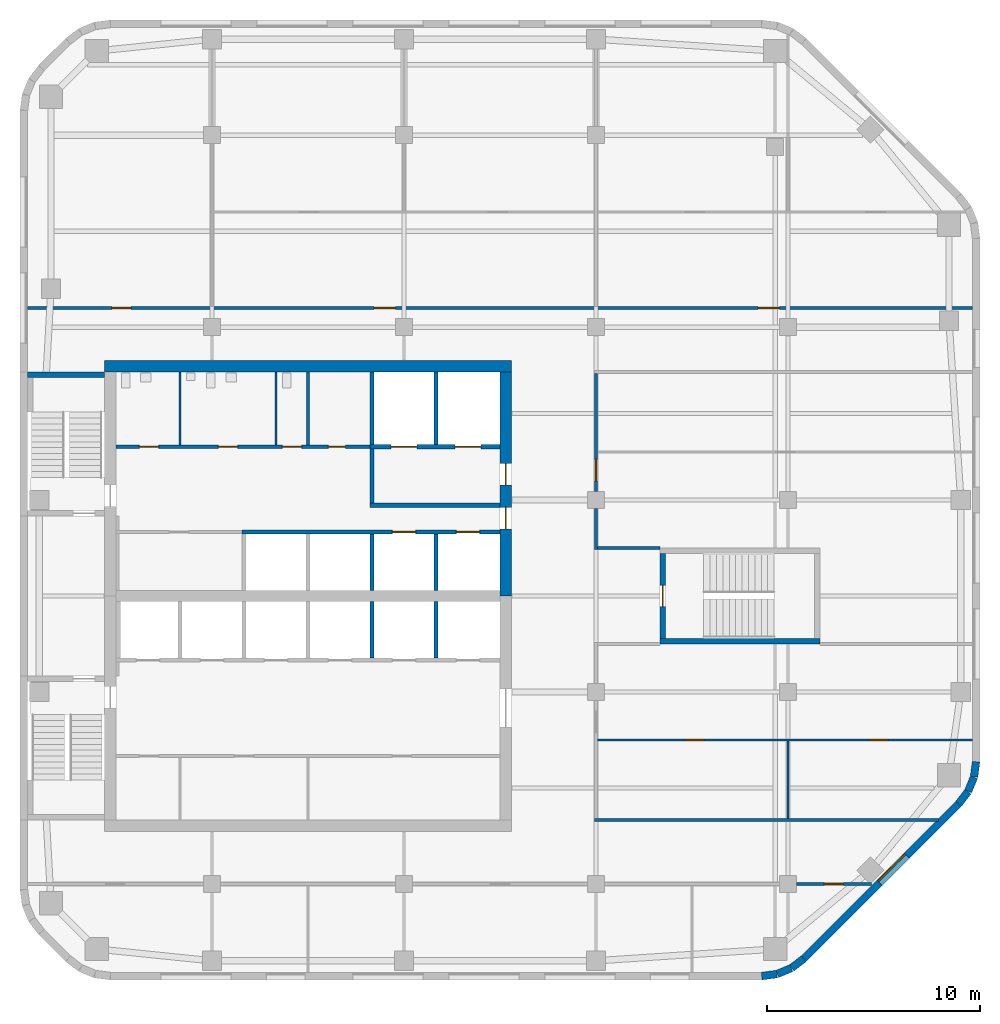
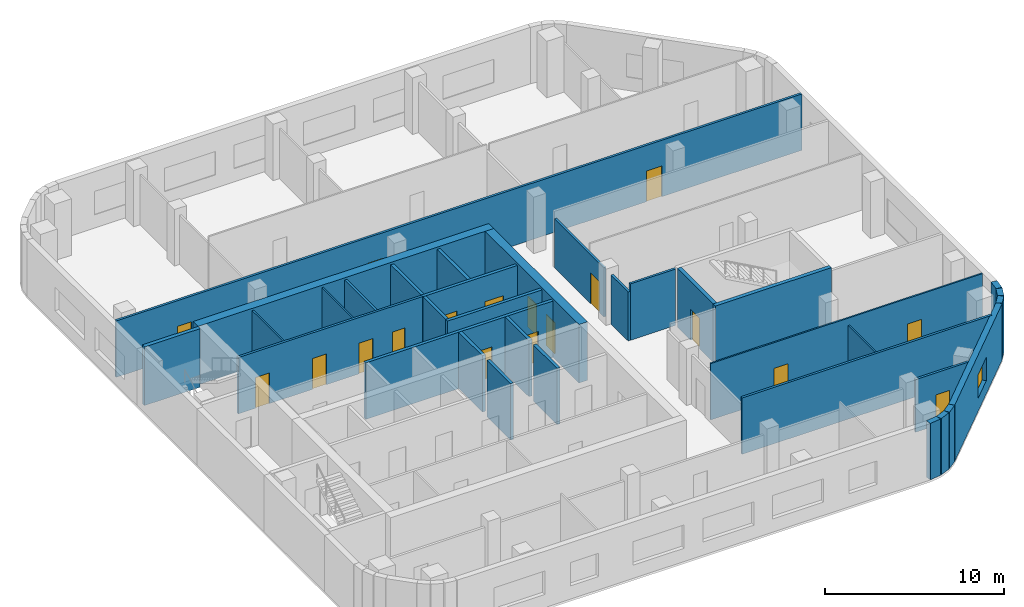
# One storey, part 4 of 8: 34 walls, 18 doors, 1 window, 19 openings.
"""IFC4 building model written with IfcOpenShell, lengths in metres."""

import ifcopenshell
import ifcopenshell.guid

model = None  # the IFC model being written
_history = None  # IfcOwnerHistory: only IFC2X3 demands one
_inside = {}  # id of a spatial element -> (the spatial element, [elements in it])
_under = {}  # id of a project, library or spatial element -> (it, [spatial elements below it])
_declared = {}  # id of a project -> (the project, [libraries it declares])
_typed = {}  # id of a type object -> (the type object, [elements of that type])
_made_of = {}  # id of a material, layer set ... -> (it, [elements and type objects made of it])


def new_model(schema):
    """Start an empty IFC model of exactly this schema.

    Asked for "IFC4X3", IfcOpenShell would pick the latest addendum, in which some entities
    have other attributes; the version numbers below select the first issue.
    IFC2X3 requires an IfcOwnerHistory on every rooted entity: one is made here for all.
    """
    global model, _history
    if schema == "IFC4X3":
        model = ifcopenshell.file(schema_version=(4, 3, 0, 0))
    else:
        model = ifcopenshell.file(schema=schema)
    _inside.clear()
    _under.clear()
    _declared.clear()
    _typed.clear()
    _made_of.clear()
    _history = None
    if model.schema == "IFC2X3":
        org = make("IfcOrganization", Name="unknown")
        user = make(
            "IfcPersonAndOrganization",
            ThePerson=make("IfcPerson", FamilyName="unknown"),
            TheOrganization=org,
        )
        app = make(
            "IfcApplication",
            ApplicationDeveloper=org,
            Version="unknown",
            ApplicationFullName="unknown",
            ApplicationIdentifier="unknown",
        )
        _history = make(
            "IfcOwnerHistory",
            OwningUser=user,
            OwningApplication=app,
            ChangeAction="ADDED",
            CreationDate=0,
        )
    return model


def make(cls, **values):
    """One entity of the class cls with the attributes given. An attribute that is None is left unset."""
    return model.create_entity(
        cls, **{name: value for name, value in values.items() if value is not None}
    )


def rooted(cls, **values):
    """An entity with a GlobalId (a new one), such as an element, a storey or a relation."""
    return make(cls, GlobalId=ifcopenshell.guid.new(), OwnerHistory=_history, **values)


def si_unit(unit_type, name, prefix=None):
    """IfcSIUnit, for example si_unit("LENGTHUNIT", "METRE", prefix="MILLI")."""
    return make("IfcSIUnit", UnitType=unit_type, Prefix=prefix, Name=name)


def assignment(units):
    """IfcUnitAssignment: the units of a project."""
    return None if units is None else make("IfcUnitAssignment", Units=units)


def point(xyz):
    """IfcCartesianPoint."""
    return None if xyz is None else make("IfcCartesianPoint", Coordinates=xyz)


def direction(xyz):
    """IfcDirection."""
    return None if xyz is None else make("IfcDirection", DirectionRatios=xyz)


def frame(location, z_axis=None, x_axis=None):
    """IfcAxis2Placement3D, a coordinate frame: its origin and axes. An axis left out is left unset."""
    return make(
        "IfcAxis2Placement3D",
        Location=point(location),
        Axis=direction(z_axis),
        RefDirection=direction(x_axis),
    )


def frame_2d(location, x_axis=None):
    """IfcAxis2Placement2D, a coordinate frame in the plane: its origin and x axis."""
    return make(
        "IfcAxis2Placement2D", Location=point(location), RefDirection=direction(x_axis)
    )


def origin():
    """The frame at (0, 0, 0) with its axes left unset."""
    return frame((0.0, 0.0, 0.0))


def place(relative_to, where):
    """IfcLocalPlacement: puts the frame where relative to a parent placement (None: the world)."""
    return make(
        "IfcLocalPlacement", PlacementRelTo=relative_to, RelativePlacement=where
    )


def context(
    kind, dimensions, precision=None, world=None, true_north=None, identifier=None
):
    """IfcGeometricRepresentationContext, for example the 3D "Model" context."""
    return make(
        "IfcGeometricRepresentationContext",
        ContextIdentifier=identifier,
        ContextType=kind,
        CoordinateSpaceDimension=dimensions,
        Precision=precision,
        WorldCoordinateSystem=world,
        TrueNorth=true_north,
    )


def subcontext(parent, identifier, kind, view, scale=None):
    """IfcGeometricRepresentationSubContext, for example "Body" below "Model"."""
    return make(
        "IfcGeometricRepresentationSubContext",
        ContextIdentifier=identifier,
        ContextType=kind,
        ParentContext=parent,
        TargetScale=scale,
        TargetView=view,
    )


def project(units=None, contexts=None):
    """IfcProject with its units and contexts."""
    return rooted(
        "IfcProject",
        Name="project",
        RepresentationContexts=contexts,
        UnitsInContext=assignment(units),
    )


def spatial(cls, under=None, at=None, **own):
    """A site, building, storey or space (cls), placed at a placement, below another one or the project."""
    s = rooted(cls, ObjectPlacement=at, **own)
    if under is not None:
        _under.setdefault(under.id(), (under, []))[1].append(s)
    return s


def profile(cls, at=None, kind="AREA", **sizes):
    """A parametric profile (cls). Its sizes go by their IFC names, for example OverallWidth=200.0."""
    return make(cls, ProfileType=kind, Position=at, **sizes)


def rectangle(**sizes):
    """IfcRectangleProfileDef."""
    return profile("IfcRectangleProfileDef", **sizes)


def extrude(swept, where, along, depth):
    """IfcExtrudedAreaSolid: the profile swept, set in the frame where, extruded along a direction by depth."""
    return make(
        "IfcExtrudedAreaSolid",
        SweptArea=swept,
        Position=where,
        ExtrudedDirection=direction(along),
        Depth=depth,
    )


def shape(context_of_items, identifier, shape_type, items):
    """IfcShapeRepresentation: the items that make up one representation, for example the "Body"."""
    return make(
        "IfcShapeRepresentation",
        ContextOfItems=context_of_items,
        RepresentationIdentifier=identifier,
        RepresentationType=shape_type,
        Items=items,
    )


def material(Name=None, Category=None):
    """IfcMaterial."""
    return make("IfcMaterial", Name=Name, Category=Category)


def layer(
    of_material, thickness, ventilated=None, Name=None, Category=None, Priority=None
):
    """IfcMaterialLayer: one layer of a wall or slab, of a material (None: an air gap)."""
    return make(
        "IfcMaterialLayer",
        Material=of_material,
        LayerThickness=thickness,
        IsVentilated=ventilated,
        Name=Name,
        Category=Category,
        Priority=Priority,
    )


def layer_set(layers, Name=None):
    """IfcMaterialLayerSet."""
    return make("IfcMaterialLayerSet", MaterialLayers=layers, LayerSetName=Name)


def made_of(thing, what):
    """Note that an element or type object is made of a material, layer set ...; save() writes the relation."""
    if what is not None:
        _made_of.setdefault(what.id(), (what, []))[1].append(thing)
    return thing


def type_object(cls, material=None, **own):
    """A type object (cls), such as IfcWallType, which elements share."""
    return made_of(rooted(cls, **own), material)


def element(
    cls,
    number,
    at=None,
    inside=None,
    cuts=None,
    type_object=None,
    material=None,
    context=None,
    identifier="Body",
    shape_type=None,
    held_by="IfcProductDefinitionShape",
    body=None,
    shapes=None,
    **own,
):
    """One element of the class cls, such as IfcWall. Its Tag is "e" and its number.

    at: its placement. inside: the storey or other place that contains it. cuts: it is an
    opening in that element (IfcRelVoidsElement). A single representation is given by context,
    identifier, shape_type and body (its items); several are given by shapes. held_by: the class
    of the entity that holds the representations. save() writes the other relations.
    """
    e = rooted(cls, Tag="e%d" % number, ObjectPlacement=at, **own)
    if body is not None:
        shapes = [shape(context, identifier, shape_type, body)]
    if shapes is not None:
        e.Representation = make(held_by, Representations=shapes)
    if inside is not None:
        _inside.setdefault(inside.id(), (inside, []))[1].append(e)
    if cuts is not None:
        rooted(
            "IfcRelVoidsElement", RelatingBuildingElement=cuts, RelatedOpeningElement=e
        )
    if type_object is not None:
        _typed.setdefault(type_object.id(), (type_object, []))[1].append(e)
    return made_of(e, material)


def fill(opening, filler):
    """IfcRelFillsElement: the door or window that sits in an opening."""
    return rooted(
        "IfcRelFillsElement",
        RelatingOpeningElement=opening,
        RelatedBuildingElement=filler,
    )


def aggregate(whole, parts):
    """IfcRelAggregates: a whole, such as a stair, and the parts it consists of."""
    return rooted("IfcRelAggregates", RelatingObject=whole, RelatedObjects=parts)


def save(model, path):
    """Write the relations noted so far, then the file.

    IfcRelAggregates (storeys below a building ...), IfcRelContainedInSpatialStructure (elements
    in a storey), IfcRelDefinesByType, IfcRelAssociatesMaterial and IfcRelDeclares: one each for
    every whole, place, type object, material and project.
    """
    for whole, parts in _under.values():
        aggregate(whole, parts)
    for where, things in _inside.values():
        rooted(
            "IfcRelContainedInSpatialStructure",
            RelatedElements=things,
            RelatingStructure=where,
        )
    for kind, things in _typed.values():
        rooted("IfcRelDefinesByType", RelatedObjects=things, RelatingType=kind)
    for what, things in _made_of.values():
        rooted("IfcRelAssociatesMaterial", RelatedObjects=things, RelatingMaterial=what)
    for by, libraries in _declared.values():
        rooted("IfcRelDeclares", RelatingContext=by, RelatedDefinitions=libraries)
    model.write(path)


model = new_model("IFC4")

# Units and contexts
model_context = context("Model", 3, precision=1e-05, world=origin(), true_north=direction((0.0, 1.0)))
body_context = subcontext(model_context, "Body", "Model", "MODEL_VIEW")
ifc_project = project(units=[si_unit("LENGTHUNIT", "METRE"), si_unit("AREAUNIT", "SQUARE_METRE"), si_unit("VOLUMEUNIT", "CUBIC_METRE"), si_unit("PLANEANGLEUNIT", "RADIAN"), si_unit("MASSUNIT", "GRAM", prefix="KILO")], contexts=[model_context])

# Site, building, storey
site_placement = place(None, origin())
site = spatial("IfcSite", under=ifc_project, at=site_placement, CompositionType="ELEMENT")
building_placement = place(site_placement, origin())
building = spatial("IfcBuilding", under=site, at=building_placement, Name="Cinnabar Reach Civic Tower", CompositionType="ELEMENT")
storey_placement = place(building_placement, frame((0.0, 0.0, 202.0)))
storey = spatial("IfcBuildingStorey", under=building, at=storey_placement, Name="L48", CompositionType="ELEMENT", Elevation=202.0)

# Walls
ifc_material_1 = material(Name="Facing brick with insulated backing", Category="masonry")
ifc_layer_1 = layer(ifc_material_1, 0.36)
ifc_layer_set_1 = layer_set([ifc_layer_1], Name="Brick corner wall")
wall_type_1 = type_object("IfcWallType", Name="Brick corner wall", PredefinedType="STANDARD", material=ifc_layer_set_1)
for number, where, z_axis, x_axis, name in (
    (1, (34.7686, 13.683, 0.0), (0.0, 0.0, 1.0), (0.99144092581, 0.13055608231, 0.0), "Brick corner wall"),
    (2, (35.4973, 13.7819, 0.0), (0.0, 0.0, 1.0), (0.923871547278, 0.382702709855, 0.0), "Brick corner wall"),
):
    element("IfcWall", number, at=place(storey_placement, frame(where, z_axis=z_axis, x_axis=x_axis)), inside=storey, type_object=wall_type_1, Name=name, PredefinedType="STANDARD", context=body_context, shape_type="SweptSolid", body=[
        extrude(rectangle(XDim=0.7131, YDim=0.36, at=frame_2d((0.3565, 0.0))), origin(), (0.0, 0.0, 1.0), 3.85),
    ])
for number, where, z_axis, x_axis, name in (
    (3, (36.1755, 14.066, 0.0), (0.0, 0.0, 1.0), (0.793321924995, 0.608802368033, 0.0), "Brick corner wall"),
    (4, (43.9998, 21.7587, 0.0), (0.0, 0.0, 1.0), (0.608802368033, 0.793321924995, 0.0), "Brick corner wall"),
):
    element("IfcWall", number, at=place(storey_placement, frame(where, z_axis=z_axis, x_axis=x_axis)), inside=storey, type_object=wall_type_1, Name=name, PredefinedType="STANDARD", context=body_context, shape_type="SweptSolid", body=[
        extrude(rectangle(XDim=0.7132, YDim=0.36, at=frame_2d((0.3566, 0.0))), origin(), (0.0, 0.0, 1.0), 3.85),
    ])
for number, where, z_axis, x_axis, name in (
    (5, (44.4452, 22.3439, 0.0), (0.0, 0.0, 1.0), (0.382702709855, 0.923871547278, 0.0), "Brick corner wall"),
    (6, (44.7239, 23.0244, 0.0), (0.0, 0.0, 1.0), (0.13055608231, 0.99144092581, 0.0), "Brick corner wall"),
):
    element("IfcWall", number, at=place(storey_placement, frame(where, z_axis=z_axis, x_axis=x_axis)), inside=storey, type_object=wall_type_1, Name=name, PredefinedType="STANDARD", context=body_context, shape_type="SweptSolid", body=[
        extrude(rectangle(XDim=0.7131, YDim=0.36, at=frame_2d((0.3565, 0.0))), origin(), (0.0, 0.0, 1.0), 3.85),
    ])

# Wall, opening, window
ifc_layer_2 = layer(ifc_material_1, 0.36)
ifc_layer_set_2 = layer_set([ifc_layer_2], Name="Brick pier and spandrel wall")
wall_type_2 = type_object("IfcWallType", Name="Brick pier and spandrel wall", PredefinedType="STANDARD", material=ifc_layer_set_2)
wall_1_placement = place(storey_placement, frame((36.7514, 14.506, 0.0), z_axis=(0.0, 0.0, 1.0), x_axis=(0.707106781187, 0.707106781187, 0.0)))
wall_1 = element("IfcWall", 7, at=wall_1_placement, inside=storey, type_object=wall_type_2, Name="Brick facade wall", PredefinedType="STANDARD", context=body_context, shape_type="SweptSolid", body=[
    extrude(rectangle(XDim=10.2426, YDim=0.36, at=frame_2d((5.1213, 0.0))), origin(), (0.0, 0.0, 1.0), 3.85),
])
opening_1_placement = place(wall_1_placement, frame((5.0213, 0.0, 0.9)))
opening_1 = element("IfcOpeningElement", 8, at=opening_1_placement, cuts=wall_1, Name="Opening W1986", PredefinedType="OPENING", context=body_context, shape_type="SweptSolid", body=[
    extrude(rectangle(XDim=1.8, YDim=1.6, at=frame_2d((0.9, 0.8))), frame((0.0, 0.19, 0.0), z_axis=(0.0, -1.0, 0.0), x_axis=(1.0, 0.0, 0.0)), (0.0, 0.0, 1.0), 0.38),
])
ifc_material_2 = material(Name="Clear double glazing in aluminium frame", Category="aluminium")
window_type = type_object("IfcWindowType", Name="Deep-set window D", PartitioningType="SINGLE_PANEL", PredefinedType="WINDOW", material=ifc_material_2)
window_placement = place(opening_1_placement, origin())
window = element("IfcWindow", 9, at=window_placement, inside=storey, type_object=window_type, Name="Window southeast face", OverallHeight=1.6, OverallWidth=1.8, PartitioningType="SINGLE_PANEL", PredefinedType="WINDOW", context=body_context, shape_type="SweptSolid", body=[
    extrude(rectangle(XDim=1.8, YDim=1.6, at=frame_2d((0.9, 0.8))), frame((0.0, 0.13, 0.0), z_axis=(0.0, -1.0, 0.0), x_axis=(1.0, 0.0, 0.0)), (0.0, 0.0, 1.0), 0.06),
])
fill(opening_1, window)

# Wall
ifc_material_3 = material(Name="Concrete C60", Category="concrete")
ifc_layer_3 = layer(ifc_material_3, 0.55)
ifc_layer_set_3 = layer_set([ifc_layer_3], Name="Core wall 550 EI 180")
wall_type_3 = type_object("IfcWallType", Name="Core wall 550 EI 180", PredefinedType="SOLIDWALL", material=ifc_layer_set_3)
wall_2_placement = place(storey_placement, frame((23.05, 42.275, 0.0), z_axis=(0.0, 0.0, 1.0), x_axis=(-1.0, 0.0, 0.0)))
element("IfcWall", 10, at=wall_2_placement, inside=storey, type_object=wall_type_3, Name="Core wall T1 L48 N", PredefinedType="SOLIDWALL", context=body_context, shape_type="SweptSolid", body=[
    extrude(rectangle(XDim=19.1, YDim=0.55, at=frame_2d((9.55, 0.0))), origin(), (0.0, 0.0, 1.0), 4.0),
])

# Wall, openings, doors
wall_3_placement = place(storey_placement, frame((22.775, 31.5, 0.0), z_axis=(0.0, 0.0, 1.0), x_axis=(0.0, 1.0, 0.0)))
wall_3 = element("IfcWall", 11, at=wall_3_placement, inside=storey, type_object=wall_type_3, Name="Core wall T1 L48 E2", PredefinedType="SOLIDWALL", context=body_context, shape_type="SweptSolid", body=[
    extrude(rectangle(XDim=10.5, YDim=0.55, at=frame_2d((5.25, 0.0))), origin(), (0.0, 0.0, 1.0), 4.0),
])
opening_2_placement = place(wall_3_placement, frame((3.15, 0.0, 0.0)))
opening_2 = element("IfcOpeningElement", 12, at=opening_2_placement, cuts=wall_3, Name="Opening D4967", PredefinedType="OPENING", context=body_context, shape_type="SweptSolid", body=[
    extrude(rectangle(XDim=1.0, YDim=2.1, at=frame_2d((0.5, 1.05))), frame((0.0, 0.285, 0.0), z_axis=(0.0, -1.0, 0.0), x_axis=(1.0, 0.0, 0.0)), (0.0, 0.0, 1.0), 0.57),
])
opening_3_placement = place(wall_3_placement, frame((5.2, 0.0, 0.0)))
opening_3 = element("IfcOpeningElement", 13, at=opening_3_placement, cuts=wall_3, Name="Opening D4968", PredefinedType="OPENING", context=body_context, shape_type="SweptSolid", body=[
    extrude(rectangle(XDim=1.0, YDim=2.1, at=frame_2d((0.5, 1.05))), frame((0.0, 0.285, 0.0), z_axis=(0.0, -1.0, 0.0), x_axis=(1.0, 0.0, 0.0)), (0.0, 0.0, 1.0), 0.57),
])
ifc_material_4 = material(Name="Timber door leaf in steel frame", Category="steel")
door_type_1 = type_object("IfcDoorType", Name="Firefighting lobby door 1000 x 2100 T1", OperationType="SINGLE_SWING_LEFT", PredefinedType="DOOR", material=ifc_material_4)
door_1_placement = place(opening_3_placement, origin())
door_1 = element("IfcDoor", 14, at=door_1_placement, inside=storey, type_object=door_type_1, Name="Door D4968", OperationType="SINGLE_SWING_LEFT", OverallHeight=2.1, OverallWidth=1.0, PredefinedType="DOOR", context=body_context, shape_type="SweptSolid", body=[
    extrude(rectangle(XDim=1.0, YDim=2.1, at=frame_2d((0.5, 1.05))), frame((0.0, 0.025, 0.0), z_axis=(0.0, -1.0, 0.0), x_axis=(1.0, 0.0, 0.0)), (0.0, 0.0, 1.0), 0.05),
])
fill(opening_3, door_1)
door_type_2 = type_object("IfcDoorType", Name="Single swing door 1000 x 2100 T1", OperationType="SINGLE_SWING_LEFT", PredefinedType="DOOR", material=ifc_material_4)
door_2_placement = place(opening_2_placement, origin())
door_2 = element("IfcDoor", 15, at=door_2_placement, inside=storey, type_object=door_type_2, Name="Door D4967", OperationType="SINGLE_SWING_RIGHT", OverallHeight=2.1, OverallWidth=1.0, PredefinedType="DOOR", context=body_context, shape_type="SweptSolid", body=[
    extrude(rectangle(XDim=1.0, YDim=2.1, at=frame_2d((0.5, 1.05))), frame((0.0, 0.025, 0.0), z_axis=(0.0, -1.0, 0.0), x_axis=(1.0, 0.0, 0.0)), (0.0, 0.0, 1.0), 0.05),
])
fill(opening_2, door_2)

ifc_material_5 = material(Name="Gypsum board on steel studs, double layer", Category="steel")
ifc_layer_4 = layer(ifc_material_5, 0.15)
ifc_layer_set_4 = layer_set([ifc_layer_4], Name="Corridor wall 150 T1")
wall_type_4 = type_object("IfcWallType", Name="Corridor wall 150 T1", PredefinedType="PARTITIONING", material=ifc_layer_set_4)
wall_4_placement = place(storey_placement, frame((0.36, 45.0, 0.0), z_axis=(0.0, 0.0, 1.0), x_axis=(1.0, 0.0, 0.0)))
wall_4 = element("IfcWall", 16, at=wall_4_placement, inside=storey, type_object=wall_type_4, Name="Corridor wall 18", PredefinedType="PARTITIONING", context=body_context, shape_type="SweptSolid", body=[
    extrude(rectangle(XDim=44.28, YDim=0.15, at=frame_2d((22.14, 0.0))), origin(), (0.0, 0.0, 1.0), 3.85),
])
opening_4_placement = place(wall_4_placement, frame((3.95, 0.0, 0.0)))
opening_4 = element("IfcOpeningElement", 17, at=opening_4_placement, cuts=wall_4, Name="Opening D4986", PredefinedType="OPENING", context=body_context, shape_type="SweptSolid", body=[
    extrude(rectangle(XDim=0.9, YDim=2.1, at=frame_2d((0.45, 1.05))), frame((0.0, 0.085, 0.0), z_axis=(0.0, -1.0, 0.0), x_axis=(1.0, 0.0, 0.0)), (0.0, 0.0, 1.0), 0.17),
])
opening_5_placement = place(wall_4_placement, frame((16.24, 0.0, 0.0)))
opening_5 = element("IfcOpeningElement", 18, at=opening_5_placement, cuts=wall_4, Name="Opening D4987", PredefinedType="OPENING", context=body_context, shape_type="SweptSolid", body=[
    extrude(rectangle(XDim=1.0, YDim=2.1, at=frame_2d((0.5, 1.05))), frame((0.0, 0.085, 0.0), z_axis=(0.0, -1.0, 0.0), x_axis=(1.0, 0.0, 0.0)), (0.0, 0.0, 1.0), 0.17),
])
opening_6_placement = place(wall_4_placement, frame((34.24, 0.0, 0.0)))
opening_6 = element("IfcOpeningElement", 19, at=opening_6_placement, cuts=wall_4, Name="Opening D4990", PredefinedType="OPENING", context=body_context, shape_type="SweptSolid", body=[
    extrude(rectangle(XDim=1.0, YDim=2.1, at=frame_2d((0.5, 1.05))), frame((0.0, 0.085, 0.0), z_axis=(0.0, -1.0, 0.0), x_axis=(1.0, 0.0, 0.0)), (0.0, 0.0, 1.0), 0.17),
])
door_type_3 = type_object("IfcDoorType", Name="Single swing door 900 x 2100 corridor T1", OperationType="SINGLE_SWING_LEFT", PredefinedType="DOOR", material=ifc_material_4)
door_3_placement = place(opening_4_placement, origin())
door_3 = element("IfcDoor", 20, at=door_3_placement, inside=storey, type_object=door_type_3, Name="Door D4986", OperationType="SINGLE_SWING_LEFT", OverallHeight=2.1, OverallWidth=0.9, PredefinedType="DOOR", context=body_context, shape_type="SweptSolid", body=[
    extrude(rectangle(XDim=0.9, YDim=2.1, at=frame_2d((0.45, 1.05))), frame((0.0, 0.025, 0.0), z_axis=(0.0, -1.0, 0.0), x_axis=(1.0, 0.0, 0.0)), (0.0, 0.0, 1.0), 0.05),
])
fill(opening_4, door_3)
door_type_4 = type_object("IfcDoorType", Name="Tenancy entrance door 1000 x 2100 T1", OperationType="SINGLE_SWING_LEFT", PredefinedType="DOOR", material=ifc_material_4)
door_4_placement = place(opening_5_placement, origin())
door_4 = element("IfcDoor", 21, at=door_4_placement, inside=storey, type_object=door_type_4, Name="Door D4987", OperationType="SINGLE_SWING_RIGHT", OverallHeight=2.1, OverallWidth=1.0, PredefinedType="DOOR", context=body_context, shape_type="SweptSolid", body=[
    extrude(rectangle(XDim=1.0, YDim=2.1, at=frame_2d((0.5, 1.05))), frame((0.0, 0.025, 0.0), z_axis=(0.0, -1.0, 0.0), x_axis=(1.0, 0.0, 0.0)), (0.0, 0.0, 1.0), 0.05),
])
fill(opening_5, door_4)
door_5_placement = place(opening_6_placement, origin())
door_5 = element("IfcDoor", 22, at=door_5_placement, inside=storey, type_object=door_type_4, Name="Door D4990", OperationType="SINGLE_SWING_RIGHT", OverallHeight=2.1, OverallWidth=1.0, PredefinedType="DOOR", context=body_context, shape_type="SweptSolid", body=[
    extrude(rectangle(XDim=1.0, YDim=2.1, at=frame_2d((0.5, 1.05))), frame((0.0, 0.025, 0.0), z_axis=(0.0, -1.0, 0.0), x_axis=(1.0, 0.0, 0.0)), (0.0, 0.0, 1.0), 0.05),
])
fill(opening_6, door_5)

# Wall, opening, door
wall_5_placement = place(storey_placement, frame((36.4, 18.0, 0.0), z_axis=(0.0, 0.0, 1.0), x_axis=(1.0, 0.0, 0.0)))
wall_5 = element("IfcWall", 23, at=wall_5_placement, inside=storey, type_object=wall_type_4, Name="Corridor wall 19", PredefinedType="PARTITIONING", context=body_context, shape_type="SweptSolid", body=[
    extrude(rectangle(XDim=3.516, YDim=0.15, at=frame_2d((1.758, 0.0))), origin(), (0.0, 0.0, 1.0), 3.602),
])
opening_7_placement = place(wall_5_placement, frame((1.3, 0.0, 0.0)))
opening_7 = element("IfcOpeningElement", 24, at=opening_7_placement, cuts=wall_5, Name="Opening D4985", PredefinedType="OPENING", context=body_context, shape_type="SweptSolid", body=[
    extrude(rectangle(XDim=0.9, YDim=2.1, at=frame_2d((0.45, 1.05))), frame((0.0, 0.085, 0.0), z_axis=(0.0, -1.0, 0.0), x_axis=(1.0, 0.0, 0.0)), (0.0, 0.0, 1.0), 0.17),
])
door_6_placement = place(opening_7_placement, frame((0.9, 0.0, 0.0), z_axis=(0.0, 0.0, 1.0), x_axis=(-1.0, 0.0, 0.0)))
door_6 = element("IfcDoor", 25, at=door_6_placement, inside=storey, type_object=door_type_3, Name="Door D4985", OperationType="SINGLE_SWING_LEFT", OverallHeight=2.1, OverallWidth=0.9, PredefinedType="DOOR", context=body_context, shape_type="SweptSolid", body=[
    extrude(rectangle(XDim=0.9, YDim=2.1, at=frame_2d((0.45, 1.05))), frame((0.0, 0.025, 0.0), z_axis=(0.0, -1.0, 0.0), x_axis=(1.0, 0.0, 0.0)), (0.0, 0.0, 1.0), 0.05),
])
fill(opening_7, door_6)

# Wall
wall_6_placement = place(storey_placement, frame((26.925, 21.0, 0.0), z_axis=(0.0, 0.0, 1.0), x_axis=(1.0, 0.0, 0.0)))
element("IfcWall", 26, at=wall_6_placement, inside=storey, type_object=wall_type_4, Name="Corridor wall 26", PredefinedType="PARTITIONING", context=body_context, shape_type="SweptSolid", body=[
    extrude(rectangle(XDim=16.1409, YDim=0.15, at=frame_2d((8.0704, 0.0))), origin(), (0.0, 0.0, 1.0), 3.85),
])

# Wall, openings, doors
wall_7_placement = place(storey_placement, frame((4.5, 38.5, 0.0), z_axis=(0.0, 0.0, 1.0), x_axis=(1.0, 0.0, 0.0)))
wall_7 = element("IfcWall", 27, at=wall_7_placement, inside=storey, type_object=wall_type_4, Name="Corridor wall 27", PredefinedType="PARTITIONING", context=body_context, shape_type="SweptSolid", body=[
    extrude(rectangle(XDim=11.9, YDim=0.15, at=frame_2d((5.95, 0.0))), origin(), (0.0, 0.0, 1.0), 3.85),
])
opening_8_placement = place(wall_7_placement, frame((1.1, 0.0, 0.0)))
opening_8 = element("IfcOpeningElement", 28, at=opening_8_placement, cuts=wall_7, Name="Opening D4974", PredefinedType="OPENING", context=body_context, shape_type="SweptSolid", body=[
    extrude(rectangle(XDim=0.9, YDim=2.1, at=frame_2d((0.45, 1.05))), frame((0.0, 0.085, 0.0), z_axis=(0.0, -1.0, 0.0), x_axis=(1.0, 0.0, 0.0)), (0.0, 0.0, 1.0), 0.17),
])
opening_9_placement = place(wall_7_placement, frame((4.8, 0.0, 0.0)))
opening_9 = element("IfcOpeningElement", 29, at=opening_9_placement, cuts=wall_7, Name="Opening D4975", PredefinedType="OPENING", context=body_context, shape_type="SweptSolid", body=[
    extrude(rectangle(XDim=0.9, YDim=2.1, at=frame_2d((0.45, 1.05))), frame((0.0, 0.085, 0.0), z_axis=(0.0, -1.0, 0.0), x_axis=(1.0, 0.0, 0.0)), (0.0, 0.0, 1.0), 0.17),
])
opening_10_placement = place(wall_7_placement, frame((7.8, 0.0, 0.0)))
opening_10 = element("IfcOpeningElement", 30, at=opening_10_placement, cuts=wall_7, Name="Opening D4976", PredefinedType="OPENING", context=body_context, shape_type="SweptSolid", body=[
    extrude(rectangle(XDim=0.9, YDim=2.1, at=frame_2d((0.45, 1.05))), frame((0.0, 0.085, 0.0), z_axis=(0.0, -1.0, 0.0), x_axis=(1.0, 0.0, 0.0)), (0.0, 0.0, 1.0), 0.17),
])
opening_11_placement = place(wall_7_placement, frame((9.95, 0.0, 0.0)))
opening_11 = element("IfcOpeningElement", 31, at=opening_11_placement, cuts=wall_7, Name="Opening D4977", PredefinedType="OPENING", context=body_context, shape_type="SweptSolid", body=[
    extrude(rectangle(XDim=0.8, YDim=2.1, at=frame_2d((0.4, 1.05))), frame((0.0, 0.085, 0.0), z_axis=(0.0, -1.0, 0.0), x_axis=(1.0, 0.0, 0.0)), (0.0, 0.0, 1.0), 0.17),
])
door_type_5 = type_object("IfcDoorType", Name="Riser access door 800 x 2100 T1", OperationType="SINGLE_SWING_LEFT", PredefinedType="DOOR", material=ifc_material_4)
door_7_placement = place(opening_11_placement, origin())
door_7 = element("IfcDoor", 32, at=door_7_placement, inside=storey, type_object=door_type_5, Name="Door D4977", OperationType="SINGLE_SWING_RIGHT", OverallHeight=2.1, OverallWidth=0.8, PredefinedType="DOOR", context=body_context, shape_type="SweptSolid", body=[
    extrude(rectangle(XDim=0.8, YDim=2.1, at=frame_2d((0.4, 1.05))), frame((0.0, 0.025, 0.0), z_axis=(0.0, -1.0, 0.0), x_axis=(1.0, 0.0, 0.0)), (0.0, 0.0, 1.0), 0.05),
])
fill(opening_11, door_7)
door_8_placement = place(opening_8_placement, origin())
door_8 = element("IfcDoor", 33, at=door_8_placement, inside=storey, type_object=door_type_3, Name="Door D4974", OperationType="SINGLE_SWING_RIGHT", OverallHeight=2.1, OverallWidth=0.9, PredefinedType="DOOR", context=body_context, shape_type="SweptSolid", body=[
    extrude(rectangle(XDim=0.9, YDim=2.1, at=frame_2d((0.45, 1.05))), frame((0.0, 0.025, 0.0), z_axis=(0.0, -1.0, 0.0), x_axis=(1.0, 0.0, 0.0)), (0.0, 0.0, 1.0), 0.05),
])
fill(opening_8, door_8)
door_9_placement = place(opening_9_placement, origin())
door_9 = element("IfcDoor", 34, at=door_9_placement, inside=storey, type_object=door_type_3, Name="Door D4975", OperationType="SINGLE_SWING_RIGHT", OverallHeight=2.1, OverallWidth=0.9, PredefinedType="DOOR", context=body_context, shape_type="SweptSolid", body=[
    extrude(rectangle(XDim=0.9, YDim=2.1, at=frame_2d((0.45, 1.05))), frame((0.0, 0.025, 0.0), z_axis=(0.0, -1.0, 0.0), x_axis=(1.0, 0.0, 0.0)), (0.0, 0.0, 1.0), 0.05),
])
fill(opening_9, door_9)
door_10_placement = place(opening_10_placement, origin())
door_10 = element("IfcDoor", 35, at=door_10_placement, inside=storey, type_object=door_type_3, Name="Door D4976", OperationType="SINGLE_SWING_RIGHT", OverallHeight=2.1, OverallWidth=0.9, PredefinedType="DOOR", context=body_context, shape_type="SweptSolid", body=[
    extrude(rectangle(XDim=0.9, YDim=2.1, at=frame_2d((0.45, 1.05))), frame((0.0, 0.025, 0.0), z_axis=(0.0, -1.0, 0.0), x_axis=(1.0, 0.0, 0.0)), (0.0, 0.0, 1.0), 0.05),
])
fill(opening_10, door_10)

# Wall
wall_8_placement = place(storey_placement, frame((27.0, 33.675, 0.0), z_axis=(0.0, 0.0, 1.0), x_axis=(0.0, 1.0, 0.0)))
element("IfcWall", 36, at=wall_8_placement, inside=storey, type_object=wall_type_4, Name="Corridor wall 30", PredefinedType="PARTITIONING", context=body_context, shape_type="SweptSolid", body=[
    extrude(rectangle(XDim=1.925, YDim=0.15, at=frame_2d((0.9625, 0.0))), origin(), (0.0, 0.0, 1.0), 3.35),
])

# Wall, opening, door
wall_9_placement = place(storey_placement, frame((27.0, 36.4, 0.0), z_axis=(0.0, 0.0, 1.0), x_axis=(0.0, 1.0, 0.0)))
wall_9 = element("IfcWall", 37, at=wall_9_placement, inside=storey, type_object=wall_type_4, Name="Corridor wall 31", PredefinedType="PARTITIONING", context=body_context, shape_type="SweptSolid", body=[
    extrude(rectangle(XDim=5.525, YDim=0.15, at=frame_2d((2.7625, 0.0))), origin(), (0.0, 0.0, 1.0), 3.35),
])
opening_12_placement = place(wall_9_placement, frame((0.5, 0.0, 0.0)))
opening_12 = element("IfcOpeningElement", 38, at=opening_12_placement, cuts=wall_9, Name="Opening D4978", PredefinedType="OPENING", context=body_context, shape_type="SweptSolid", body=[
    extrude(rectangle(XDim=1.0, YDim=2.1, at=frame_2d((0.5, 1.05))), frame((0.0, 0.085, 0.0), z_axis=(0.0, -1.0, 0.0), x_axis=(1.0, 0.0, 0.0)), (0.0, 0.0, 1.0), 0.17),
])
door_11_placement = place(opening_12_placement, frame((1.0, 0.0, 0.0), z_axis=(0.0, 0.0, 1.0), x_axis=(-1.0, 0.0, 0.0)))
door_11 = element("IfcDoor", 39, at=door_11_placement, inside=storey, type_object=door_type_4, Name="Door D4978", OperationType="SINGLE_SWING_LEFT", OverallHeight=2.1, OverallWidth=1.0, PredefinedType="DOOR", context=body_context, shape_type="SweptSolid", body=[
    extrude(rectangle(XDim=1.0, YDim=2.1, at=frame_2d((0.5, 1.05))), frame((0.0, 0.025, 0.0), z_axis=(0.0, -1.0, 0.0), x_axis=(1.0, 0.0, 0.0)), (0.0, 0.0, 1.0), 0.05),
])
fill(opening_12, door_11)

# Wall
wall_10_placement = place(storey_placement, frame((27.075, 33.75, 0.0), z_axis=(0.0, 0.0, 1.0), x_axis=(1.0, 0.0, 0.0)))
element("IfcWall", 40, at=wall_10_placement, inside=storey, type_object=wall_type_4, Name="Corridor wall 36", PredefinedType="PARTITIONING", context=body_context, shape_type="SweptSolid", body=[
    extrude(rectangle(XDim=2.925, YDim=0.15, at=frame_2d((1.4625, 0.0))), origin(), (0.0, 0.0, 1.0), 3.85),
])

# Wall, openings, doors
ifc_material_6 = material(Name="Blockwork", Category="masonry")
ifc_layer_5 = layer(ifc_material_6, 0.2)
ifc_layer_set_5 = layer_set([ifc_layer_5], Name="Lift shaft wall 200 T1")
wall_type_5 = type_object("IfcWallType", Name="Lift shaft wall 200 T1", PredefinedType="PARTITIONING", material=ifc_layer_set_5)
wall_11_placement = place(storey_placement, frame((10.4, 34.5, 0.0), z_axis=(0.0, 0.0, 1.0), x_axis=(1.0, 0.0, 0.0)))
wall_11 = element("IfcWall", 41, at=wall_11_placement, inside=storey, type_object=wall_type_5, Name="Lift shaft wall 5", PredefinedType="PARTITIONING", context=body_context, shape_type="SweptSolid", body=[
    extrude(rectangle(XDim=12.1, YDim=0.2, at=frame_2d((6.05, 0.0))), origin(), (0.0, 0.0, 1.0), 3.85),
])
opening_13_placement = place(wall_11_placement, frame((7.05, 0.0, 0.0)))
opening_13 = element("IfcOpeningElement", 42, at=opening_13_placement, cuts=wall_11, Name="Opening D4962", PredefinedType="OPENING", context=body_context, shape_type="SweptSolid", body=[
    extrude(rectangle(XDim=1.1, YDim=2.1, at=frame_2d((0.55, 1.05))), frame((0.0, 0.11, 0.0), z_axis=(0.0, -1.0, 0.0), x_axis=(1.0, 0.0, 0.0)), (0.0, 0.0, 1.0), 0.22),
])
opening_14_placement = place(wall_11_placement, frame((10.05, 0.0, 0.0)))
opening_14 = element("IfcOpeningElement", 43, at=opening_14_placement, cuts=wall_11, Name="Opening D4963", PredefinedType="OPENING", context=body_context, shape_type="SweptSolid", body=[
    extrude(rectangle(XDim=1.1, YDim=2.1, at=frame_2d((0.55, 1.05))), frame((0.0, 0.11, 0.0), z_axis=(0.0, -1.0, 0.0), x_axis=(1.0, 0.0, 0.0)), (0.0, 0.0, 1.0), 0.22),
])
ifc_material_7 = material(Name="Stainless steel sliding door", Category="steel")
door_type_6 = type_object("IfcDoorType", Name="Lift landing door 1100 x 2100 T1", OperationType="SLIDING_TO_LEFT", PredefinedType="DOOR", material=ifc_material_7)
door_12_placement = place(opening_13_placement, origin())
door_12 = element("IfcDoor", 44, at=door_12_placement, inside=storey, type_object=door_type_6, Name="Lift landing door SV1 L48", OperationType="SLIDING_TO_LEFT", OverallHeight=2.1, OverallWidth=1.1, PredefinedType="DOOR", context=body_context, shape_type="SweptSolid", body=[
    extrude(rectangle(XDim=1.1, YDim=2.1, at=frame_2d((0.55, 1.05))), frame((0.0, 0.025, 0.0), z_axis=(0.0, -1.0, 0.0), x_axis=(1.0, 0.0, 0.0)), (0.0, 0.0, 1.0), 0.05),
])
fill(opening_13, door_12)
door_13_placement = place(opening_14_placement, origin())
door_13 = element("IfcDoor", 45, at=door_13_placement, inside=storey, type_object=door_type_6, Name="Lift landing door SV2 L48", OperationType="SLIDING_TO_LEFT", OverallHeight=2.1, OverallWidth=1.1, PredefinedType="DOOR", context=body_context, shape_type="SweptSolid", body=[
    extrude(rectangle(XDim=1.1, YDim=2.1, at=frame_2d((0.55, 1.05))), frame((0.0, 0.025, 0.0), z_axis=(0.0, -1.0, 0.0), x_axis=(1.0, 0.0, 0.0)), (0.0, 0.0, 1.0), 0.05),
])
fill(opening_14, door_13)

# Walls
for number, where, z_axis, x_axis, name in (
    (46, (16.5, 28.6, 0.0), (0.0, 0.0, 1.0), (0.0, 1.0, 0.0), "Lift shaft wall 10"),
    (47, (16.5, 31.75, 0.0), (0.0, 0.0, 1.0), (0.0, 1.0, 0.0), "Lift shaft wall 11"),
    (48, (19.5, 28.6, 0.0), (0.0, 0.0, 1.0), (0.0, 1.0, 0.0), "Lift shaft wall 12"),
    (49, (19.5, 31.75, 0.0), (0.0, 0.0, 1.0), (0.0, 1.0, 0.0), "Lift shaft wall 13"),
):
    element("IfcWall", number, at=place(storey_placement, frame(where, z_axis=z_axis, x_axis=x_axis)), inside=storey, type_object=wall_type_5, Name=name, PredefinedType="PARTITIONING", context=body_context, shape_type="SweptSolid", body=[
        extrude(rectangle(XDim=2.65, YDim=0.2, at=frame_2d((1.325, 0.0))), origin(), (0.0, 0.0, 1.0), 3.85),
    ])
for number, where, z_axis, x_axis, name in (
    (50, (16.5, 38.6, 0.0), (0.0, 0.0, 1.0), (0.0, 1.0, 0.0), "Lift shaft wall 14"),
    (51, (19.5, 38.6, 0.0), (0.0, 0.0, 1.0), (0.0, 1.0, 0.0), "Lift shaft wall 15"),
):
    element("IfcWall", number, at=place(storey_placement, frame(where, z_axis=z_axis, x_axis=x_axis)), inside=storey, type_object=wall_type_5, Name=name, PredefinedType="PARTITIONING", context=body_context, shape_type="SweptSolid", body=[
        extrude(rectangle(XDim=3.4, YDim=0.2, at=frame_2d((1.7, 0.0))), origin(), (0.0, 0.0, 1.0), 3.85),
    ])

# Wall, openings, doors
ifc_material_8 = material(Name="Gypsum board on steel studs", Category="steel")
ifc_layer_6 = layer(ifc_material_8, 0.1)
ifc_layer_set_6 = layer_set([ifc_layer_6], Name="Partition wall 100 T1")
wall_type_6 = type_object("IfcWallType", Name="Partition wall 100 T1", PredefinedType="PARTITIONING", material=ifc_layer_set_6)
wall_12_placement = place(storey_placement, frame((27.075, 24.75, 0.0), z_axis=(0.0, 0.0, 1.0), x_axis=(1.0, 0.0, 0.0)))
wall_12 = element("IfcWall", 52, at=wall_12_placement, inside=storey, type_object=wall_type_6, Name="Partition wall 44", PredefinedType="PARTITIONING", context=body_context, shape_type="SweptSolid", body=[
    extrude(rectangle(XDim=17.565, YDim=0.1, at=frame_2d((8.7825, 0.0))), origin(), (0.0, 0.0, 1.0), 3.85),
])
opening_15_placement = place(wall_12_placement, frame((4.1, 0.0, 0.0)))
opening_15 = element("IfcOpeningElement", 53, at=opening_15_placement, cuts=wall_12, Name="Opening D4981", PredefinedType="OPENING", context=body_context, shape_type="SweptSolid", body=[
    extrude(rectangle(XDim=0.9, YDim=2.1, at=frame_2d((0.45, 1.05))), frame((0.0, 0.06, 0.0), z_axis=(0.0, -1.0, 0.0), x_axis=(1.0, 0.0, 0.0)), (0.0, 0.0, 1.0), 0.12),
])
opening_16_placement = place(wall_12_placement, frame((12.725, 0.0, 0.0)))
opening_16 = element("IfcOpeningElement", 54, at=opening_16_placement, cuts=wall_12, Name="Opening D4982", PredefinedType="OPENING", context=body_context, shape_type="SweptSolid", body=[
    extrude(rectangle(XDim=0.9, YDim=2.1, at=frame_2d((0.45, 1.05))), frame((0.0, 0.06, 0.0), z_axis=(0.0, -1.0, 0.0), x_axis=(1.0, 0.0, 0.0)), (0.0, 0.0, 1.0), 0.12),
])
door_type_7 = type_object("IfcDoorType", Name="Single swing door 900 x 2100 T1", OperationType="SINGLE_SWING_LEFT", PredefinedType="DOOR", material=ifc_material_4)
door_14_placement = place(opening_15_placement, frame((0.9, 0.0, 0.0), z_axis=(0.0, 0.0, 1.0), x_axis=(-1.0, 0.0, 0.0)))
door_14 = element("IfcDoor", 55, at=door_14_placement, inside=storey, type_object=door_type_7, Name="Door D4981", OperationType="SINGLE_SWING_RIGHT", OverallHeight=2.1, OverallWidth=0.9, PredefinedType="DOOR", context=body_context, shape_type="SweptSolid", body=[
    extrude(rectangle(XDim=0.9, YDim=2.1, at=frame_2d((0.45, 1.05))), frame((0.0, 0.025, 0.0), z_axis=(0.0, -1.0, 0.0), x_axis=(1.0, 0.0, 0.0)), (0.0, 0.0, 1.0), 0.05),
])
fill(opening_15, door_14)
door_15_placement = place(opening_16_placement, frame((0.9, 0.0, 0.0), z_axis=(0.0, 0.0, 1.0), x_axis=(-1.0, 0.0, 0.0)))
door_15 = element("IfcDoor", 56, at=door_15_placement, inside=storey, type_object=door_type_7, Name="Door D4982", OperationType="SINGLE_SWING_RIGHT", OverallHeight=2.1, OverallWidth=0.9, PredefinedType="DOOR", context=body_context, shape_type="SweptSolid", body=[
    extrude(rectangle(XDim=0.9, YDim=2.1, at=frame_2d((0.45, 1.05))), frame((0.0, 0.025, 0.0), z_axis=(0.0, -1.0, 0.0), x_axis=(1.0, 0.0, 0.0)), (0.0, 0.0, 1.0), 0.05),
])
fill(opening_16, door_15)

# Walls
wall_13_placement = place(storey_placement, frame((36.0, 21.075, 0.0), z_axis=(0.0, 0.0, 1.0), x_axis=(0.0, 1.0, 0.0)))
element("IfcWall", 57, at=wall_13_placement, inside=storey, type_object=wall_type_6, Name="Partition wall 54", PredefinedType="PARTITIONING", context=body_context, shape_type="SweptSolid", body=[
    extrude(rectangle(XDim=3.625, YDim=0.1, at=frame_2d((1.8125, 0.0))), origin(), (0.0, 0.0, 1.0), 3.35),
])
for number, where, z_axis, x_axis, name in (
    (58, (7.5, 38.575, 0.0), (0.0, 0.0, 1.0), (0.0, 1.0, 0.0), "Partition wall 55"),
    (59, (12.0, 38.575, 0.0), (0.0, 0.0, 1.0), (0.0, 1.0, 0.0), "Partition wall 56"),
):
    element("IfcWall", number, at=place(storey_placement, frame(where, z_axis=z_axis, x_axis=x_axis)), inside=storey, type_object=wall_type_6, Name=name, PredefinedType="PARTITIONING", context=body_context, shape_type="SweptSolid", body=[
        extrude(rectangle(XDim=3.425, YDim=0.1, at=frame_2d((1.7125, 0.0))), origin(), (0.0, 0.0, 1.0), 3.85),
    ])
ifc_material_9 = material(Name="Concrete C40", Category="concrete")
ifc_layer_7 = layer(ifc_material_9, 0.2)
ifc_layer_set_7 = layer_set([ifc_layer_7], Name="Refuge compartment wall 200 T1")
wall_type_7 = type_object("IfcWallType", Name="Refuge compartment wall 200 T1", PredefinedType="PARTITIONING", material=ifc_layer_set_7)
wall_14_placement = place(storey_placement, frame((16.4, 35.75, 0.0), z_axis=(0.0, 0.0, 1.0), x_axis=(1.0, 0.0, 0.0)))
element("IfcWall", 60, at=wall_14_placement, inside=storey, type_object=wall_type_7, Name="Refuge compartment wall 1", PredefinedType="PARTITIONING", context=body_context, shape_type="SweptSolid", body=[
    extrude(rectangle(XDim=6.1, YDim=0.2, at=frame_2d((3.05, 0.0))), origin(), (0.0, 0.0, 1.0), 3.85),
])

# Wall, openings, doors
wall_15_placement = place(storey_placement, frame((16.4, 38.5, 0.0), z_axis=(0.0, 0.0, 1.0), x_axis=(1.0, 0.0, 0.0)))
wall_15 = element("IfcWall", 61, at=wall_15_placement, inside=storey, type_object=wall_type_7, Name="Refuge compartment wall 2", PredefinedType="PARTITIONING", context=body_context, shape_type="SweptSolid", body=[
    extrude(rectangle(XDim=6.1, YDim=0.2, at=frame_2d((3.05, 0.0))), origin(), (0.0, 0.0, 1.0), 3.85),
])
opening_17_placement = place(wall_15_placement, frame((1.0, 0.0, 0.0)))
opening_17 = element("IfcOpeningElement", 62, at=opening_17_placement, cuts=wall_15, Name="Opening D4964", PredefinedType="OPENING", context=body_context, shape_type="SweptSolid", body=[
    extrude(rectangle(XDim=1.2, YDim=2.1, at=frame_2d((0.6, 1.05))), frame((0.0, 0.11, 0.0), z_axis=(0.0, -1.0, 0.0), x_axis=(1.0, 0.0, 0.0)), (0.0, 0.0, 1.0), 0.22),
])
opening_18_placement = place(wall_15_placement, frame((4.0, 0.0, 0.0)))
opening_18 = element("IfcOpeningElement", 63, at=opening_18_placement, cuts=wall_15, Name="Opening D4965", PredefinedType="OPENING", context=body_context, shape_type="SweptSolid", body=[
    extrude(rectangle(XDim=1.2, YDim=2.1, at=frame_2d((0.6, 1.05))), frame((0.0, 0.11, 0.0), z_axis=(0.0, -1.0, 0.0), x_axis=(1.0, 0.0, 0.0)), (0.0, 0.0, 1.0), 0.22),
])
door_type_8 = type_object("IfcDoorType", Name="Firefighting lift landing door 1200 x 2100 T1", OperationType="SLIDING_TO_LEFT", PredefinedType="DOOR", material=ifc_material_7)
door_16_placement = place(opening_17_placement, origin())
door_16 = element("IfcDoor", 64, at=door_16_placement, inside=storey, type_object=door_type_8, Name="Lift landing door FF1 L48", OperationType="SLIDING_TO_LEFT", OverallHeight=2.1, OverallWidth=1.2, PredefinedType="DOOR", context=body_context, shape_type="SweptSolid", body=[
    extrude(rectangle(XDim=1.2, YDim=2.1, at=frame_2d((0.6, 1.05))), frame((0.0, 0.025, 0.0), z_axis=(0.0, -1.0, 0.0), x_axis=(1.0, 0.0, 0.0)), (0.0, 0.0, 1.0), 0.05),
])
fill(opening_17, door_16)
door_17_placement = place(opening_18_placement, origin())
door_17 = element("IfcDoor", 65, at=door_17_placement, inside=storey, type_object=door_type_8, Name="Lift landing door FF2 L48", OperationType="SLIDING_TO_LEFT", OverallHeight=2.1, OverallWidth=1.2, PredefinedType="DOOR", context=body_context, shape_type="SweptSolid", body=[
    extrude(rectangle(XDim=1.2, YDim=2.1, at=frame_2d((0.6, 1.05))), frame((0.0, 0.025, 0.0), z_axis=(0.0, -1.0, 0.0), x_axis=(1.0, 0.0, 0.0)), (0.0, 0.0, 1.0), 0.05),
])
fill(opening_18, door_17)

# Walls
wall_16_placement = place(storey_placement, frame((16.5, 35.85, 0.0), z_axis=(0.0, 0.0, 1.0), x_axis=(0.0, 1.0, 0.0)))
element("IfcWall", 66, at=wall_16_placement, inside=storey, type_object=wall_type_7, Name="Refuge compartment wall 3", PredefinedType="PARTITIONING", context=body_context, shape_type="SweptSolid", body=[
    extrude(rectangle(XDim=2.55, YDim=0.2, at=frame_2d((1.275, 0.0))), origin(), (0.0, 0.0, 1.0), 3.85),
])
ifc_layer_8 = layer(ifc_material_6, 0.15)
ifc_layer_set_8 = layer_set([ifc_layer_8], Name="Riser wall 150 T1")
wall_type_8 = type_object("IfcWallType", Name="Riser wall 150 T1", PredefinedType="PARTITIONING", material=ifc_layer_set_8)
wall_17_placement = place(storey_placement, frame((13.5, 38.575, 0.0), z_axis=(0.0, 0.0, 1.0), x_axis=(0.0, 1.0, 0.0)))
element("IfcWall", 67, at=wall_17_placement, inside=storey, type_object=wall_type_8, Name="Riser wall 38", PredefinedType="PARTITIONING", context=body_context, shape_type="SweptSolid", body=[
    extrude(rectangle(XDim=3.425, YDim=0.15, at=frame_2d((1.7125, 0.0))), origin(), (0.0, 0.0, 1.0), 3.85),
])
ifc_layer_9 = layer(ifc_material_3, 0.25)
ifc_layer_set_9 = layer_set([ifc_layer_9], Name="Stair shaft wall 250 EI 120")
wall_type_9 = type_object("IfcWallType", Name="Stair shaft wall 250 EI 120", PredefinedType="SOLIDWALL", material=ifc_layer_set_9)
wall_18_placement = place(storey_placement, frame((3.95, 41.875, 0.0), z_axis=(0.0, 0.0, 1.0), x_axis=(-1.0, 0.0, 0.0)))
element("IfcWall", 68, at=wall_18_placement, inside=storey, type_object=wall_type_9, Name="Stair shaft wall T1-S2 L48", PredefinedType="SOLIDWALL", context=body_context, shape_type="SweptSolid", body=[
    extrude(rectangle(XDim=3.59, YDim=0.25, at=frame_2d((1.795, 0.0))), origin(), (0.0, 0.0, 1.0), 4.0),
])
wall_19_placement = place(storey_placement, frame((30.0, 29.375, 0.0), z_axis=(0.0, 0.0, 1.0), x_axis=(1.0, 0.0, 0.0)))
element("IfcWall", 69, at=wall_19_placement, inside=storey, type_object=wall_type_9, Name="Stair shaft wall T1-S3 L48", PredefinedType="SOLIDWALL", context=body_context, shape_type="SweptSolid", body=[
    extrude(rectangle(XDim=7.5, YDim=0.25, at=frame_2d((3.75, 0.0))), origin(), (0.0, 0.0, 1.0), 4.0),
])

# Wall, opening, door
wall_20_placement = place(storey_placement, frame((30.125, 33.5, 0.0), z_axis=(0.0, 0.0, 1.0), x_axis=(0.0, -1.0, 0.0)))
wall_20 = element("IfcWall", 70, at=wall_20_placement, inside=storey, type_object=wall_type_9, Name="Stair shaft wall T1-S3 L48", PredefinedType="SOLIDWALL", context=body_context, shape_type="SweptSolid", body=[
    extrude(rectangle(XDim=4.0, YDim=0.25, at=frame_2d((2.0, 0.0))), origin(), (0.0, 0.0, 1.0), 4.0),
])
opening_19_placement = place(wall_20_placement, frame((1.5, 0.0, 0.0)))
opening_19 = element("IfcOpeningElement", 71, at=opening_19_placement, cuts=wall_20, Name="Opening D4969", PredefinedType="OPENING", context=body_context, shape_type="SweptSolid", body=[
    extrude(rectangle(XDim=1.0, YDim=2.1, at=frame_2d((0.5, 1.05))), frame((0.0, 0.135, 0.0), z_axis=(0.0, -1.0, 0.0), x_axis=(1.0, 0.0, 0.0)), (0.0, 0.0, 1.0), 0.27),
])
door_type_9 = type_object("IfcDoorType", Name="Stair door 1000 x 2100 T1", OperationType="SINGLE_SWING_LEFT", PredefinedType="DOOR", material=ifc_material_4)
door_18_placement = place(opening_19_placement, origin())
door_18 = element("IfcDoor", 72, at=door_18_placement, inside=storey, type_object=door_type_9, Name="Door D4969", OperationType="SINGLE_SWING_LEFT", OverallHeight=2.1, OverallWidth=1.0, PredefinedType="DOOR", context=body_context, shape_type="SweptSolid", body=[
    extrude(rectangle(XDim=1.0, YDim=2.1, at=frame_2d((0.5, 1.05))), frame((0.0, 0.025, 0.0), z_axis=(0.0, -1.0, 0.0), x_axis=(1.0, 0.0, 0.0)), (0.0, 0.0, 1.0), 0.05),
])
fill(opening_19, door_18)

save(model, "model.ifc")
